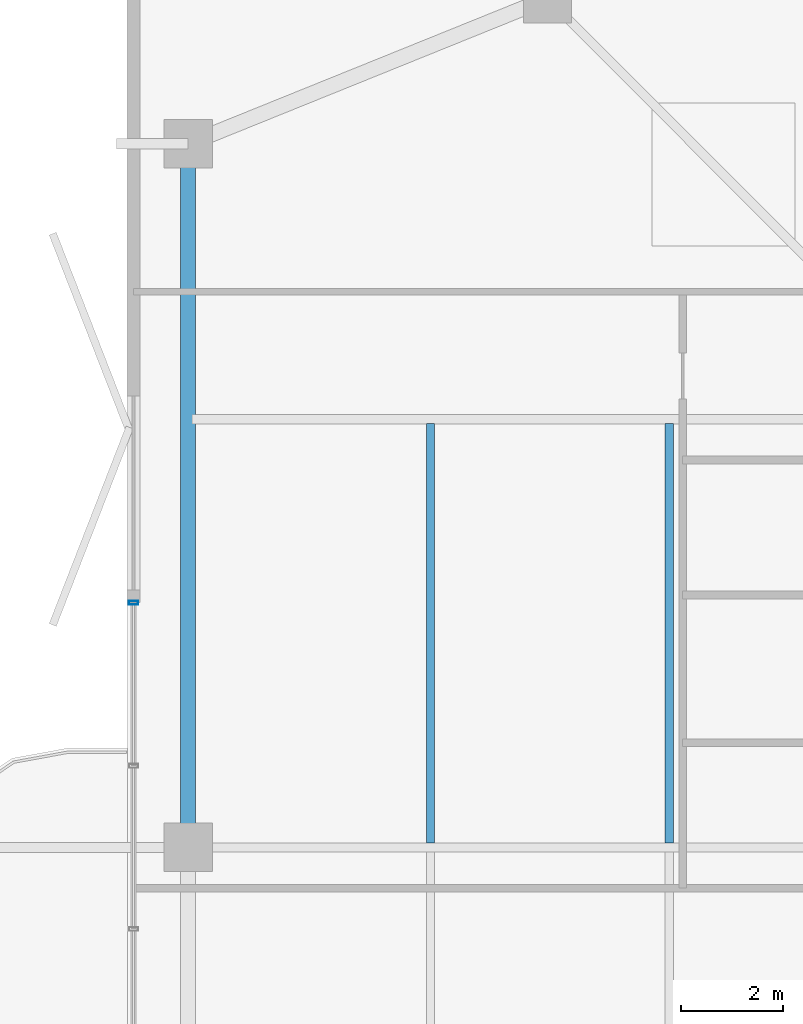
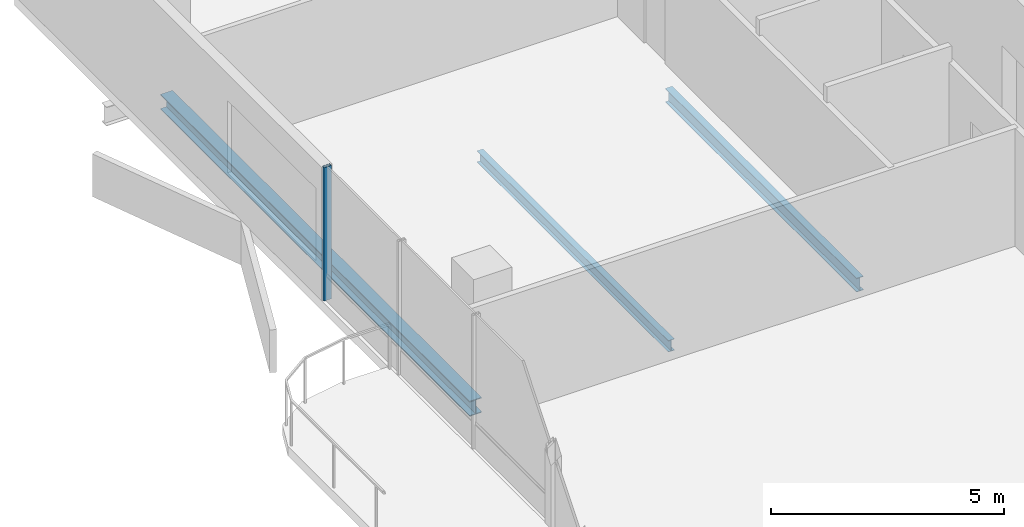
# One storey, part 11 of 24: 3 beams, 1 member, 1 element without a shape of its own.
"""IFC4 building model written with IfcOpenShell, lengths in metres."""

import ifcopenshell
import ifcopenshell.guid

model = None  # the IFC model being written
_history = None  # IfcOwnerHistory: only IFC2X3 demands one
_inside = {}  # id of a spatial element -> (the spatial element, [elements in it])
_under = {}  # id of a project, library or spatial element -> (it, [spatial elements below it])
_declared = {}  # id of a project -> (the project, [libraries it declares])
_typed = {}  # id of a type object -> (the type object, [elements of that type])
_made_of = {}  # id of a material, layer set ... -> (it, [elements and type objects made of it])


def new_model(schema):
    """Start an empty IFC model of exactly this schema.

    Asked for "IFC4X3", IfcOpenShell would pick the latest addendum, in which some entities
    have other attributes; the version numbers below select the first issue.
    IFC2X3 requires an IfcOwnerHistory on every rooted entity: one is made here for all.
    """
    global model, _history
    if schema == "IFC4X3":
        model = ifcopenshell.file(schema_version=(4, 3, 0, 0))
    else:
        model = ifcopenshell.file(schema=schema)
    _inside.clear()
    _under.clear()
    _declared.clear()
    _typed.clear()
    _made_of.clear()
    _history = None
    if model.schema == "IFC2X3":
        org = make("IfcOrganization", Name="unknown")
        user = make(
            "IfcPersonAndOrganization",
            ThePerson=make("IfcPerson", FamilyName="unknown"),
            TheOrganization=org,
        )
        app = make(
            "IfcApplication",
            ApplicationDeveloper=org,
            Version="unknown",
            ApplicationFullName="unknown",
            ApplicationIdentifier="unknown",
        )
        _history = make(
            "IfcOwnerHistory",
            OwningUser=user,
            OwningApplication=app,
            ChangeAction="ADDED",
            CreationDate=0,
        )
    return model


def make(cls, **values):
    """One entity of the class cls with the attributes given. An attribute that is None is left unset."""
    return model.create_entity(
        cls, **{name: value for name, value in values.items() if value is not None}
    )


def rooted(cls, **values):
    """An entity with a GlobalId (a new one), such as an element, a storey or a relation."""
    return make(cls, GlobalId=ifcopenshell.guid.new(), OwnerHistory=_history, **values)


def si_unit(unit_type, name, prefix=None):
    """IfcSIUnit, for example si_unit("LENGTHUNIT", "METRE", prefix="MILLI")."""
    return make("IfcSIUnit", UnitType=unit_type, Prefix=prefix, Name=name)


def assignment(units):
    """IfcUnitAssignment: the units of a project."""
    return None if units is None else make("IfcUnitAssignment", Units=units)


def point(xyz):
    """IfcCartesianPoint."""
    return None if xyz is None else make("IfcCartesianPoint", Coordinates=xyz)


def direction(xyz):
    """IfcDirection."""
    return None if xyz is None else make("IfcDirection", DirectionRatios=xyz)


def frame(location, z_axis=None, x_axis=None):
    """IfcAxis2Placement3D, a coordinate frame: its origin and axes. An axis left out is left unset."""
    return make(
        "IfcAxis2Placement3D",
        Location=point(location),
        Axis=direction(z_axis),
        RefDirection=direction(x_axis),
    )


def frame_2d(location, x_axis=None):
    """IfcAxis2Placement2D, a coordinate frame in the plane: its origin and x axis."""
    return make(
        "IfcAxis2Placement2D", Location=point(location), RefDirection=direction(x_axis)
    )


def origin():
    """The frame at (0, 0, 0) with its axes left unset."""
    return frame((0.0, 0.0, 0.0))


def origin_2d():
    """The frame at (0, 0) in the plane with its x axis left unset."""
    return frame_2d((0.0, 0.0))


def place(relative_to, where):
    """IfcLocalPlacement: puts the frame where relative to a parent placement (None: the world)."""
    return make(
        "IfcLocalPlacement", PlacementRelTo=relative_to, RelativePlacement=where
    )


def context(
    kind, dimensions, precision=None, world=None, true_north=None, identifier=None
):
    """IfcGeometricRepresentationContext, for example the 3D "Model" context."""
    return make(
        "IfcGeometricRepresentationContext",
        ContextIdentifier=identifier,
        ContextType=kind,
        CoordinateSpaceDimension=dimensions,
        Precision=precision,
        WorldCoordinateSystem=world,
        TrueNorth=true_north,
    )


def subcontext(parent, identifier, kind, view, scale=None):
    """IfcGeometricRepresentationSubContext, for example "Body" below "Model"."""
    return make(
        "IfcGeometricRepresentationSubContext",
        ContextIdentifier=identifier,
        ContextType=kind,
        ParentContext=parent,
        TargetScale=scale,
        TargetView=view,
    )


def project(units=None, contexts=None):
    """IfcProject with its units and contexts."""
    return rooted(
        "IfcProject",
        Name="project",
        RepresentationContexts=contexts,
        UnitsInContext=assignment(units),
    )


def spatial(cls, under=None, at=None, **own):
    """A site, building, storey or space (cls), placed at a placement, below another one or the project."""
    s = rooted(cls, ObjectPlacement=at, **own)
    if under is not None:
        _under.setdefault(under.id(), (under, []))[1].append(s)
    return s


def profile(cls, at=None, kind="AREA", **sizes):
    """A parametric profile (cls). Its sizes go by their IFC names, for example OverallWidth=200.0."""
    return make(cls, ProfileType=kind, Position=at, **sizes)


def hollow_rectangle(**sizes):
    """IfcRectangleHollowProfileDef."""
    return profile("IfcRectangleHollowProfileDef", **sizes)


def i_section(**sizes):
    """IfcIShapeProfileDef."""
    return profile("IfcIShapeProfileDef", **sizes)


def extrude(swept, where, along, depth):
    """IfcExtrudedAreaSolid: the profile swept, set in the frame where, extruded along a direction by depth."""
    return make(
        "IfcExtrudedAreaSolid",
        SweptArea=swept,
        Position=where,
        ExtrudedDirection=direction(along),
        Depth=depth,
    )


def shape(context_of_items, identifier, shape_type, items):
    """IfcShapeRepresentation: the items that make up one representation, for example the "Body"."""
    return make(
        "IfcShapeRepresentation",
        ContextOfItems=context_of_items,
        RepresentationIdentifier=identifier,
        RepresentationType=shape_type,
        Items=items,
    )


def material(Name=None, Category=None):
    """IfcMaterial."""
    return make("IfcMaterial", Name=Name, Category=Category)


def layer(
    of_material, thickness, ventilated=None, Name=None, Category=None, Priority=None
):
    """IfcMaterialLayer: one layer of a wall or slab, of a material (None: an air gap)."""
    return make(
        "IfcMaterialLayer",
        Material=of_material,
        LayerThickness=thickness,
        IsVentilated=ventilated,
        Name=Name,
        Category=Category,
        Priority=Priority,
    )


def layer_set(layers, Name=None):
    """IfcMaterialLayerSet."""
    return make("IfcMaterialLayerSet", MaterialLayers=layers, LayerSetName=Name)


def material_profile(
    of_material, cross_section, Name=None, Category=None, Priority=None
):
    """IfcMaterialProfile: a cross section and its material."""
    return make(
        "IfcMaterialProfile",
        Name=Name,
        Material=of_material,
        Profile=cross_section,
        Priority=Priority,
        Category=Category,
    )


def profile_set(profiles, Name=None, composite=None):
    """IfcMaterialProfileSet."""
    return make(
        "IfcMaterialProfileSet",
        Name=Name,
        MaterialProfiles=profiles,
        CompositeProfile=composite,
    )


def made_of(thing, what):
    """Note that an element or type object is made of a material, layer set ...; save() writes the relation."""
    if what is not None:
        _made_of.setdefault(what.id(), (what, []))[1].append(thing)
    return thing


def type_object(cls, material=None, **own):
    """A type object (cls), such as IfcWallType, which elements share."""
    return made_of(rooted(cls, **own), material)


def element(
    cls,
    number,
    at=None,
    inside=None,
    cuts=None,
    type_object=None,
    material=None,
    context=None,
    identifier="Body",
    shape_type=None,
    held_by="IfcProductDefinitionShape",
    body=None,
    shapes=None,
    **own,
):
    """One element of the class cls, such as IfcWall. Its Tag is "e" and its number.

    at: its placement. inside: the storey or other place that contains it. cuts: it is an
    opening in that element (IfcRelVoidsElement). A single representation is given by context,
    identifier, shape_type and body (its items); several are given by shapes. held_by: the class
    of the entity that holds the representations. save() writes the other relations.
    """
    e = rooted(cls, Tag="e%d" % number, ObjectPlacement=at, **own)
    if body is not None:
        shapes = [shape(context, identifier, shape_type, body)]
    if shapes is not None:
        e.Representation = make(held_by, Representations=shapes)
    if inside is not None:
        _inside.setdefault(inside.id(), (inside, []))[1].append(e)
    if cuts is not None:
        rooted(
            "IfcRelVoidsElement", RelatingBuildingElement=cuts, RelatedOpeningElement=e
        )
    if type_object is not None:
        _typed.setdefault(type_object.id(), (type_object, []))[1].append(e)
    return made_of(e, material)


def aggregate(whole, parts):
    """IfcRelAggregates: a whole, such as a stair, and the parts it consists of."""
    return rooted("IfcRelAggregates", RelatingObject=whole, RelatedObjects=parts)


def save(model, path):
    """Write the relations noted so far, then the file.

    IfcRelAggregates (storeys below a building ...), IfcRelContainedInSpatialStructure (elements
    in a storey), IfcRelDefinesByType, IfcRelAssociatesMaterial and IfcRelDeclares: one each for
    every whole, place, type object, material and project.
    """
    for whole, parts in _under.values():
        aggregate(whole, parts)
    for where, things in _inside.values():
        rooted(
            "IfcRelContainedInSpatialStructure",
            RelatedElements=things,
            RelatingStructure=where,
        )
    for kind, things in _typed.values():
        rooted("IfcRelDefinesByType", RelatedObjects=things, RelatingType=kind)
    for what, things in _made_of.values():
        rooted("IfcRelAssociatesMaterial", RelatedObjects=things, RelatingMaterial=what)
    for by, libraries in _declared.values():
        rooted("IfcRelDeclares", RelatingContext=by, RelatedDefinitions=libraries)
    model.write(path)


model = new_model("IFC4")

# Units and contexts
model_context = context("Model", 3, precision=1e-05, world=origin(), true_north=direction((0.0, 1.0)))
body_context = subcontext(model_context, "Body", "Model", "MODEL_VIEW")
ifc_project = project(units=[si_unit("LENGTHUNIT", "METRE"), si_unit("AREAUNIT", "SQUARE_METRE"), si_unit("VOLUMEUNIT", "CUBIC_METRE"), si_unit("PLANEANGLEUNIT", "RADIAN"), si_unit("MASSUNIT", "GRAM", prefix="KILO")], contexts=[model_context])

# Site, building, storey
site_placement = place(None, origin())
site = spatial("IfcSite", under=ifc_project, at=site_placement, CompositionType="ELEMENT")
building_placement = place(site_placement, origin())
building = spatial("IfcBuilding", under=site, at=building_placement, Name="Belovzor Exchange Tower", CompositionType="ELEMENT")
storey_placement = place(building_placement, frame((0.0, 0.0, 261.60009765625)))
storey = spatial("IfcBuildingStorey", under=building, at=storey_placement, Name="L65", CompositionType="ELEMENT", Elevation=261.60009765625)

# Beams
ifc_material_1 = material(Name="Steel S355", Category="steel")
ifc_material_profile_1 = material_profile(ifc_material_1, i_section(OverallWidth=0.169921875, OverallDepth=0.360107421875, WebThickness=0.008056640625, FlangeThickness=0.0126953125, at=origin_2d()))
ifc_profile_set_1 = profile_set([ifc_material_profile_1], Name="Steel S355")
beam_type_1 = type_object("IfcBeamType", Name="Secondary Infill Floor Joist IPE 360", PredefinedType="BEAM", material=ifc_profile_set_1)
beam_1_placement = place(storey_placement, frame((14.534912109375, 28.889892578125, -0.43017578125), z_axis=(0.0, 1.0, 0.0), x_axis=(-1.0, 0.0, 0.0)))
element("IfcBeam", 1, at=beam_1_placement, inside=storey, type_object=beam_type_1, Name="FJ-360 Secondary Infill Floor Joist IPE 360", PredefinedType="BEAM", context=body_context, shape_type="SweptSolid", body=[
    extrude(i_section(OverallWidth=0.169921875, OverallDepth=0.360107421875, WebThickness=0.008056640625, FlangeThickness=0.0126953125, at=origin_2d()), origin(), (0.0, 0.0, 1.0), 8.22021484375),
])
ifc_material_2 = material(Name="Steel S355", Category="steel")
ifc_material_profile_2 = material_profile(ifc_material_2, i_section(OverallWidth=0.14990234375, OverallDepth=0.300048828125, WebThickness=0.007080078125, FlangeThickness=0.0107421875, at=origin_2d()))
ifc_profile_set_2 = profile_set([ifc_material_profile_2], Name="Steel S355")
beam_type_2 = type_object("IfcBeamType", Name="Secondary Trim Floor Joist IPE 300", PredefinedType="BEAM", material=ifc_profile_set_2)
beam_2_placement = place(storey_placement, frame((9.85498046875, 28.889892578125, -0.400146484375), z_axis=(0.0, 1.0, 0.0), x_axis=(-1.0, 0.0, 0.0)))
element("IfcBeam", 2, at=beam_2_placement, inside=storey, type_object=beam_type_2, Name="FJ-300 Secondary Trim Floor Joist IPE 300", PredefinedType="BEAM", context=body_context, shape_type="SweptSolid", body=[
    extrude(i_section(OverallWidth=0.14990234375, OverallDepth=0.300048828125, WebThickness=0.007080078125, FlangeThickness=0.0107421875, at=origin_2d()), origin(), (0.0, 0.0, 1.0), 8.22021484375),
])

# Curtain wall, member
ifc_material_3 = material(Name="Anodised Aluminium Framing", Category="aluminium")
ifc_layer = layer(ifc_material_3, 0.179931640625)
ifc_layer_set = layer_set([ifc_layer], Name="Anodised Aluminium Framing")
curtain_wall_type = type_object("IfcCurtainWallType", Name="Recessed Loggia Low-Iron Triple-Glazed Curtain Wall", PredefinedType="NOTDEFINED", material=ifc_layer_set)
curtain_wall_placement = place(storey_placement, origin())
curtain_wall = element("IfcCurtainWall", 3, at=curtain_wall_placement, inside=storey, type_object=curtain_wall_type, Name="CW3 Recessed Loggia Low-Iron Triple-Glazed Curtain Wall L65", PredefinedType="NOTDEFINED")
ifc_material_4 = material(Name="Steel S355", Category="steel")
ifc_material_profile_3 = material_profile(ifc_material_4, hollow_rectangle(XDim=0.074951171875, YDim=0.179931640625, WallThickness=0.0048828125, at=origin_2d()))
ifc_profile_set_3 = profile_set([ifc_material_profile_3], Name="Steel S355")
member_type = type_object("IfcMemberType", Name="Thermally Broken Curtain Wall Mullion 180x75", PredefinedType="MULLION", material=ifc_profile_set_3)
member_placement = place(storey_placement, frame((4.030029296875, 33.60009765625, 0.0), z_axis=(0.0, 0.0, 1.0), x_axis=(0.0, 1.0, 0.0)))
member = element("IfcMember", 4, at=member_placement, type_object=member_type, Name="CW-M180 Curtain Wall Mullion 4", PredefinedType="MULLION", context=body_context, shape_type="SweptSolid", body=[
    extrude(hollow_rectangle(XDim=0.074951171875, YDim=0.179931640625, WallThickness=0.0048828125, at=origin_2d()), origin(), (0.0, 0.0, 1.0), 3.5),
])
aggregate(curtain_wall, [member])

# Beam
ifc_material_5 = material(Name="Steel S355", Category="steel")
ifc_material_profile_4 = material_profile(ifc_material_5, i_section(OverallWidth=0.300048828125, OverallDepth=0.39990234375, WebThickness=0.013427734375, FlangeThickness=0.02392578125, at=origin_2d()))
ifc_profile_set_4 = profile_set([ifc_material_profile_4], Name="Steel S355")
beam_type_3 = type_object("IfcBeamType", Name="Zone 5 Primary Girder HEB 400", PredefinedType="BEAM", material=ifc_profile_set_4)
beam_3_placement = place(storey_placement, frame((5.10009765625, 42.339111328125, -0.4501953125), z_axis=(0.0, -1.0, 0.0), x_axis=(1.0, 0.0, 0.0)))
element("IfcBeam", 5, at=beam_3_placement, inside=storey, type_object=beam_type_3, Name="FG-Z5 Zone 5 Primary Girder HEB 400", PredefinedType="BEAM", context=body_context, shape_type="SweptSolid", body=[
    extrude(i_section(OverallWidth=0.300048828125, OverallDepth=0.39990234375, WebThickness=0.013427734375, FlangeThickness=0.02392578125, at=origin_2d()), origin(), (0.0, 0.0, 1.0), 13.278076171875),
])

save(model, "model.ifc")
